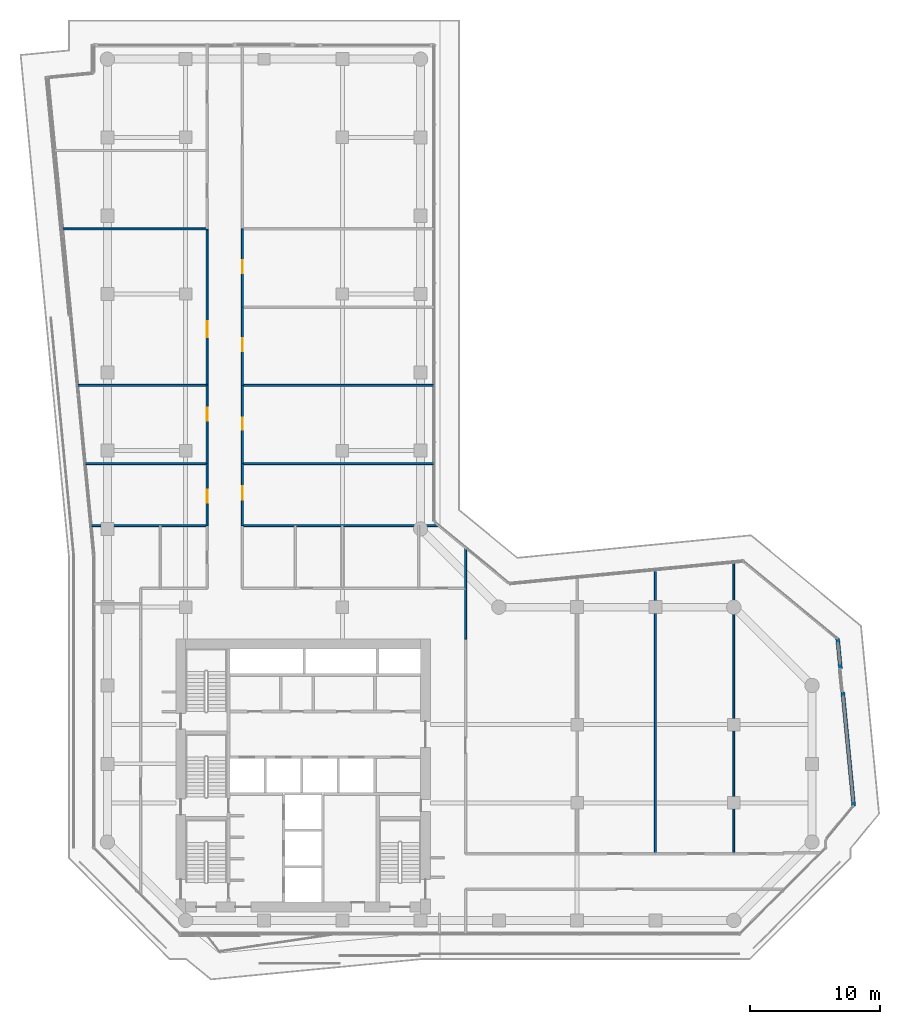
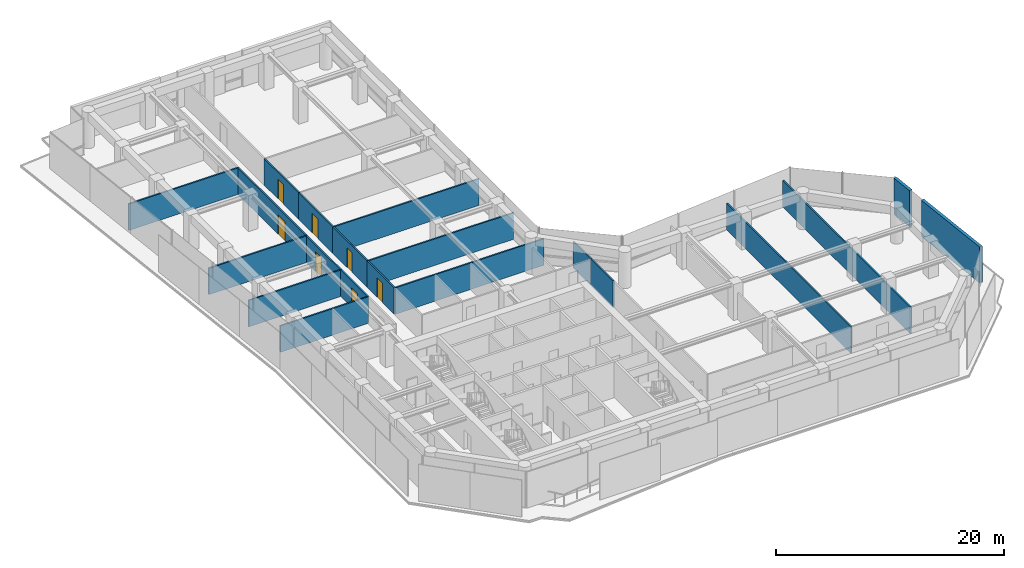
# One storey, part 25 of 28: 20 walls, 7 doors, 7 openings.
"""IFC4 building model written with IfcOpenShell, lengths in metres."""

import ifcopenshell
import ifcopenshell.guid

model = None  # the IFC model being written
_history = None  # IfcOwnerHistory: only IFC2X3 demands one
_inside = {}  # id of a spatial element -> (the spatial element, [elements in it])
_under = {}  # id of a project, library or spatial element -> (it, [spatial elements below it])
_declared = {}  # id of a project -> (the project, [libraries it declares])
_typed = {}  # id of a type object -> (the type object, [elements of that type])
_made_of = {}  # id of a material, layer set ... -> (it, [elements and type objects made of it])


def new_model(schema):
    """Start an empty IFC model of exactly this schema.

    Asked for "IFC4X3", IfcOpenShell would pick the latest addendum, in which some entities
    have other attributes; the version numbers below select the first issue.
    IFC2X3 requires an IfcOwnerHistory on every rooted entity: one is made here for all.
    """
    global model, _history
    if schema == "IFC4X3":
        model = ifcopenshell.file(schema_version=(4, 3, 0, 0))
    else:
        model = ifcopenshell.file(schema=schema)
    _inside.clear()
    _under.clear()
    _declared.clear()
    _typed.clear()
    _made_of.clear()
    _history = None
    if model.schema == "IFC2X3":
        org = make("IfcOrganization", Name="unknown")
        user = make(
            "IfcPersonAndOrganization",
            ThePerson=make("IfcPerson", FamilyName="unknown"),
            TheOrganization=org,
        )
        app = make(
            "IfcApplication",
            ApplicationDeveloper=org,
            Version="unknown",
            ApplicationFullName="unknown",
            ApplicationIdentifier="unknown",
        )
        _history = make(
            "IfcOwnerHistory",
            OwningUser=user,
            OwningApplication=app,
            ChangeAction="ADDED",
            CreationDate=0,
        )
    return model


def make(cls, **values):
    """One entity of the class cls with the attributes given. An attribute that is None is left unset."""
    return model.create_entity(
        cls, **{name: value for name, value in values.items() if value is not None}
    )


def rooted(cls, **values):
    """An entity with a GlobalId (a new one), such as an element, a storey or a relation."""
    return make(cls, GlobalId=ifcopenshell.guid.new(), OwnerHistory=_history, **values)


def si_unit(unit_type, name, prefix=None):
    """IfcSIUnit, for example si_unit("LENGTHUNIT", "METRE", prefix="MILLI")."""
    return make("IfcSIUnit", UnitType=unit_type, Prefix=prefix, Name=name)


def assignment(units):
    """IfcUnitAssignment: the units of a project."""
    return None if units is None else make("IfcUnitAssignment", Units=units)


def point(xyz):
    """IfcCartesianPoint."""
    return None if xyz is None else make("IfcCartesianPoint", Coordinates=xyz)


def direction(xyz):
    """IfcDirection."""
    return None if xyz is None else make("IfcDirection", DirectionRatios=xyz)


def frame(location, z_axis=None, x_axis=None):
    """IfcAxis2Placement3D, a coordinate frame: its origin and axes. An axis left out is left unset."""
    return make(
        "IfcAxis2Placement3D",
        Location=point(location),
        Axis=direction(z_axis),
        RefDirection=direction(x_axis),
    )


def frame_2d(location, x_axis=None):
    """IfcAxis2Placement2D, a coordinate frame in the plane: its origin and x axis."""
    return make(
        "IfcAxis2Placement2D", Location=point(location), RefDirection=direction(x_axis)
    )


def origin():
    """The frame at (0, 0, 0) with its axes left unset."""
    return frame((0.0, 0.0, 0.0))


def place(relative_to, where):
    """IfcLocalPlacement: puts the frame where relative to a parent placement (None: the world)."""
    return make(
        "IfcLocalPlacement", PlacementRelTo=relative_to, RelativePlacement=where
    )


def context(
    kind, dimensions, precision=None, world=None, true_north=None, identifier=None
):
    """IfcGeometricRepresentationContext, for example the 3D "Model" context."""
    return make(
        "IfcGeometricRepresentationContext",
        ContextIdentifier=identifier,
        ContextType=kind,
        CoordinateSpaceDimension=dimensions,
        Precision=precision,
        WorldCoordinateSystem=world,
        TrueNorth=true_north,
    )


def subcontext(parent, identifier, kind, view, scale=None):
    """IfcGeometricRepresentationSubContext, for example "Body" below "Model"."""
    return make(
        "IfcGeometricRepresentationSubContext",
        ContextIdentifier=identifier,
        ContextType=kind,
        ParentContext=parent,
        TargetScale=scale,
        TargetView=view,
    )


def project(units=None, contexts=None):
    """IfcProject with its units and contexts."""
    return rooted(
        "IfcProject",
        Name="project",
        RepresentationContexts=contexts,
        UnitsInContext=assignment(units),
    )


def spatial(cls, under=None, at=None, **own):
    """A site, building, storey or space (cls), placed at a placement, below another one or the project."""
    s = rooted(cls, ObjectPlacement=at, **own)
    if under is not None:
        _under.setdefault(under.id(), (under, []))[1].append(s)
    return s


def profile(cls, at=None, kind="AREA", **sizes):
    """A parametric profile (cls). Its sizes go by their IFC names, for example OverallWidth=200.0."""
    return make(cls, ProfileType=kind, Position=at, **sizes)


def rectangle(**sizes):
    """IfcRectangleProfileDef."""
    return profile("IfcRectangleProfileDef", **sizes)


def extrude(swept, where, along, depth):
    """IfcExtrudedAreaSolid: the profile swept, set in the frame where, extruded along a direction by depth."""
    return make(
        "IfcExtrudedAreaSolid",
        SweptArea=swept,
        Position=where,
        ExtrudedDirection=direction(along),
        Depth=depth,
    )


def shape(context_of_items, identifier, shape_type, items):
    """IfcShapeRepresentation: the items that make up one representation, for example the "Body"."""
    return make(
        "IfcShapeRepresentation",
        ContextOfItems=context_of_items,
        RepresentationIdentifier=identifier,
        RepresentationType=shape_type,
        Items=items,
    )


def material(Name=None, Category=None):
    """IfcMaterial."""
    return make("IfcMaterial", Name=Name, Category=Category)


def layer(
    of_material, thickness, ventilated=None, Name=None, Category=None, Priority=None
):
    """IfcMaterialLayer: one layer of a wall or slab, of a material (None: an air gap)."""
    return make(
        "IfcMaterialLayer",
        Material=of_material,
        LayerThickness=thickness,
        IsVentilated=ventilated,
        Name=Name,
        Category=Category,
        Priority=Priority,
    )


def layer_set(layers, Name=None):
    """IfcMaterialLayerSet."""
    return make("IfcMaterialLayerSet", MaterialLayers=layers, LayerSetName=Name)


def made_of(thing, what):
    """Note that an element or type object is made of a material, layer set ...; save() writes the relation."""
    if what is not None:
        _made_of.setdefault(what.id(), (what, []))[1].append(thing)
    return thing


def type_object(cls, material=None, **own):
    """A type object (cls), such as IfcWallType, which elements share."""
    return made_of(rooted(cls, **own), material)


def element(
    cls,
    number,
    at=None,
    inside=None,
    cuts=None,
    type_object=None,
    material=None,
    context=None,
    identifier="Body",
    shape_type=None,
    held_by="IfcProductDefinitionShape",
    body=None,
    shapes=None,
    **own,
):
    """One element of the class cls, such as IfcWall. Its Tag is "e" and its number.

    at: its placement. inside: the storey or other place that contains it. cuts: it is an
    opening in that element (IfcRelVoidsElement). A single representation is given by context,
    identifier, shape_type and body (its items); several are given by shapes. held_by: the class
    of the entity that holds the representations. save() writes the other relations.
    """
    e = rooted(cls, Tag="e%d" % number, ObjectPlacement=at, **own)
    if body is not None:
        shapes = [shape(context, identifier, shape_type, body)]
    if shapes is not None:
        e.Representation = make(held_by, Representations=shapes)
    if inside is not None:
        _inside.setdefault(inside.id(), (inside, []))[1].append(e)
    if cuts is not None:
        rooted(
            "IfcRelVoidsElement", RelatingBuildingElement=cuts, RelatedOpeningElement=e
        )
    if type_object is not None:
        _typed.setdefault(type_object.id(), (type_object, []))[1].append(e)
    return made_of(e, material)


def fill(opening, filler):
    """IfcRelFillsElement: the door or window that sits in an opening."""
    return rooted(
        "IfcRelFillsElement",
        RelatingOpeningElement=opening,
        RelatedBuildingElement=filler,
    )


def aggregate(whole, parts):
    """IfcRelAggregates: a whole, such as a stair, and the parts it consists of."""
    return rooted("IfcRelAggregates", RelatingObject=whole, RelatedObjects=parts)


def save(model, path):
    """Write the relations noted so far, then the file.

    IfcRelAggregates (storeys below a building ...), IfcRelContainedInSpatialStructure (elements
    in a storey), IfcRelDefinesByType, IfcRelAssociatesMaterial and IfcRelDeclares: one each for
    every whole, place, type object, material and project.
    """
    for whole, parts in _under.values():
        aggregate(whole, parts)
    for where, things in _inside.values():
        rooted(
            "IfcRelContainedInSpatialStructure",
            RelatedElements=things,
            RelatingStructure=where,
        )
    for kind, things in _typed.values():
        rooted("IfcRelDefinesByType", RelatedObjects=things, RelatingType=kind)
    for what, things in _made_of.values():
        rooted("IfcRelAssociatesMaterial", RelatedObjects=things, RelatingMaterial=what)
    for by, libraries in _declared.values():
        rooted("IfcRelDeclares", RelatingContext=by, RelatedDefinitions=libraries)
    model.write(path)


model = new_model("IFC4")

# Units and contexts
model_context = context("Model", 3, precision=1e-05, world=origin(), true_north=direction((0.0, 1.0)))
body_context = subcontext(model_context, "Body", "Model", "MODEL_VIEW")
ifc_project = project(units=[si_unit("LENGTHUNIT", "METRE"), si_unit("AREAUNIT", "SQUARE_METRE"), si_unit("VOLUMEUNIT", "CUBIC_METRE"), si_unit("PLANEANGLEUNIT", "RADIAN"), si_unit("MASSUNIT", "GRAM", prefix="KILO")], contexts=[model_context])

# Site, building, storey
site_placement = place(None, origin())
site = spatial("IfcSite", under=ifc_project, at=site_placement, CompositionType="ELEMENT")
building_placement = place(site_placement, origin())
building = spatial("IfcBuilding", under=site, at=building_placement, Name="Welwitschia Terrace Campus", CompositionType="ELEMENT")
storey_placement = place(building_placement, frame((0.0, 0.0, 87.800048828125)))
storey = spatial("IfcBuildingStorey", under=building, at=storey_placement, Name="L19", CompositionType="ELEMENT", Elevation=87.800048828125)

# Walls
ifc_material_1 = material(Name="Gypsum board on steel studs", Category="steel")
ifc_layer_1 = layer(ifc_material_1, 0.14990234375)
ifc_layer_set_1 = layer_set([ifc_layer_1], Name="Gypsum board on steel studs")
wall_type_1 = type_object("IfcWallType", Name="Corridor partition 150 EI 30", PredefinedType="PARTITIONING", material=ifc_layer_set_1)
wall_1_placement = place(storey_placement, frame((-3.43994140625, 57.0, 0.0), z_axis=(0.0, 0.0, 1.0), x_axis=(1.0, 0.0, 0.0)))
element("IfcWall", 1, at=wall_1_placement, inside=storey, type_object=wall_type_1, Name="Partition", PredefinedType="PARTITIONING", context=body_context, shape_type="SweptSolid", body=[
    extrude(rectangle(XDim=11.08984375, YDim=0.14990234375, at=frame_2d((5.544921875, 0.0))), origin(), (0.0, 0.0, 1.0), 2.829833984375),
])
wall_2_placement = place(storey_placement, frame((-2.280029296875, 45.0, 0.0), z_axis=(0.0, 0.0, 1.0), x_axis=(1.0, 0.0, 0.0)))
element("IfcWall", 2, at=wall_2_placement, inside=storey, type_object=wall_type_1, Name="Partition", PredefinedType="PARTITIONING", context=body_context, shape_type="SweptSolid", body=[
    extrude(rectangle(XDim=9.929931640625, YDim=0.14990234375, at=frame_2d((4.96484375, 0.0))), origin(), (0.0, 0.0, 1.0), 2.829833984375),
])
wall_3_placement = place(storey_placement, frame((-1.7099609375, 39.0, 0.0), z_axis=(0.0, 0.0, 1.0), x_axis=(1.0, 0.0, 0.0)))
element("IfcWall", 3, at=wall_3_placement, inside=storey, type_object=wall_type_1, Name="Partition", PredefinedType="PARTITIONING", context=body_context, shape_type="SweptSolid", body=[
    extrude(rectangle(XDim=9.35986328125, YDim=0.14990234375, at=frame_2d((4.679931640625, 0.0))), origin(), (0.0, 0.0, 1.0), 2.829833984375),
])
wall_4_placement = place(storey_placement, frame((-1.25, 34.25, 0.0), z_axis=(0.0, 0.0, 1.0), x_axis=(1.0, 0.0, 0.0)))
element("IfcWall", 4, at=wall_4_placement, inside=storey, type_object=wall_type_1, Name="Partition", PredefinedType="PARTITIONING", context=body_context, shape_type="SweptSolid", body=[
    extrude(rectangle(XDim=8.89990234375, YDim=0.14990234375, at=frame_2d((4.449951171875, 0.0))), origin(), (0.0, 0.0, 1.0), 2.829833984375),
])

# Wall, opening, door
wall_5_placement = place(storey_placement, frame((7.64990234375, 34.25, 0.0), z_axis=(0.0, 0.0, 1.0), x_axis=(0.0, 1.0, 0.0)))
wall_5 = element("IfcWall", 5, at=wall_5_placement, inside=storey, type_object=wall_type_1, Name="Partition", PredefinedType="PARTITIONING", context=body_context, shape_type="SweptSolid", body=[
    extrude(rectangle(XDim=4.75, YDim=0.14990234375, at=frame_2d((2.375, 0.0))), origin(), (0.0, 0.0, 1.0), 2.829833984375),
])
opening_1_placement = place(wall_5_placement, frame((1.75, 0.0, 0.0)))
opening_1 = element("IfcOpeningElement", 6, at=opening_1_placement, cuts=wall_5, Name="Opening DI10", PredefinedType="OPENING", context=body_context, shape_type="SweptSolid", body=[
    extrude(rectangle(XDim=1.0, YDim=2.10009765625, at=frame_2d((0.5, 1.050048828125))), frame((0.0, 0.0849609375, 0.0), z_axis=(0.0, -1.0, 0.0), x_axis=(1.0, 0.0, 0.0)), (0.0, 0.0, 1.0), 0.169921875),
])
ifc_material_2 = material(Name="Timber veneered door", Category="wood")
door_type_1 = type_object("IfcDoorType", Name="Interior door DI10", OperationType="NOTDEFINED", PredefinedType="DOOR", material=ifc_material_2)
door_1_placement = place(opening_1_placement, origin())
door_1 = element("IfcDoor", 7, at=door_1_placement, inside=storey, type_object=door_type_1, Name="Door L19 422", OperationType="SINGLE_SWING_LEFT", OverallHeight=2.10009765625, OverallWidth=1.0, PredefinedType="DOOR", context=body_context, shape_type="SweptSolid", body=[
    extrude(rectangle(XDim=1.0, YDim=2.10009765625, at=frame_2d((0.5, 1.050048828125))), frame((0.0, 0.02490234375, 0.0), z_axis=(0.0, -1.0, 0.0), x_axis=(1.0, 0.0, 0.0)), (0.0, 0.0, 1.0), 0.050048828125),
])
fill(opening_1, door_1)

wall_6_placement = place(storey_placement, frame((7.64990234375, 39.0, 0.0), z_axis=(0.0, 0.0, 1.0), x_axis=(0.0, 1.0, 0.0)))
wall_6 = element("IfcWall", 8, at=wall_6_placement, inside=storey, type_object=wall_type_1, Name="Partition", PredefinedType="PARTITIONING", context=body_context, shape_type="SweptSolid", body=[
    extrude(rectangle(XDim=6.0, YDim=0.14990234375, at=frame_2d((3.0, 0.0))), origin(), (0.0, 0.0, 1.0), 2.829833984375),
])
opening_2_placement = place(wall_6_placement, frame((3.300048828125, 0.0, 0.0)))
opening_2 = element("IfcOpeningElement", 9, at=opening_2_placement, cuts=wall_6, Name="Opening DI10", PredefinedType="OPENING", context=body_context, shape_type="SweptSolid", body=[
    extrude(rectangle(XDim=1.0, YDim=2.10009765625, at=frame_2d((0.5, 1.050048828125))), frame((0.0, 0.0849609375, 0.0), z_axis=(0.0, -1.0, 0.0), x_axis=(1.0, 0.0, 0.0)), (0.0, 0.0, 1.0), 0.169921875),
])
door_2_placement = place(opening_2_placement, origin())
door_2 = element("IfcDoor", 10, at=door_2_placement, inside=storey, type_object=door_type_1, Name="Door L19 423", OperationType="SINGLE_SWING_RIGHT", OverallHeight=2.10009765625, OverallWidth=1.0, PredefinedType="DOOR", context=body_context, shape_type="SweptSolid", body=[
    extrude(rectangle(XDim=1.0, YDim=2.10009765625, at=frame_2d((0.5, 1.050048828125))), frame((0.0, 0.02490234375, 0.0), z_axis=(0.0, -1.0, 0.0), x_axis=(1.0, 0.0, 0.0)), (0.0, 0.0, 1.0), 0.050048828125),
])
fill(opening_2, door_2)

wall_7_placement = place(storey_placement, frame((7.64990234375, 45.0, 0.0), z_axis=(0.0, 0.0, 1.0), x_axis=(0.0, 1.0, 0.0)))
wall_7 = element("IfcWall", 11, at=wall_7_placement, inside=storey, type_object=wall_type_1, Name="Partition", PredefinedType="PARTITIONING", context=body_context, shape_type="SweptSolid", body=[
    extrude(rectangle(XDim=12.0, YDim=0.14990234375, at=frame_2d((6.0, 0.0))), origin(), (0.0, 0.0, 1.0), 2.829833984375),
])
opening_3_placement = place(wall_7_placement, frame((3.699951171875, 0.0, 0.0)))
opening_3 = element("IfcOpeningElement", 12, at=opening_3_placement, cuts=wall_7, Name="Opening DI12", PredefinedType="OPENING", context=body_context, shape_type="SweptSolid", body=[
    extrude(rectangle(XDim=1.199951171875, YDim=2.10009765625, at=frame_2d((0.60009765625, 1.050048828125))), frame((0.0, 0.0849609375, 0.0), z_axis=(0.0, -1.0, 0.0), x_axis=(1.0, 0.0, 0.0)), (0.0, 0.0, 1.0), 0.169921875),
])
ifc_material_3 = material(Name="Timber veneered door", Category="wood")
door_type_2 = type_object("IfcDoorType", Name="Interior door DI12", OperationType="NOTDEFINED", PredefinedType="DOOR", material=ifc_material_3)
door_3_placement = place(opening_3_placement, origin())
door_3 = element("IfcDoor", 13, at=door_3_placement, inside=storey, type_object=door_type_2, Name="Door L19 424", OperationType="SINGLE_SWING_LEFT", OverallHeight=2.10009765625, OverallWidth=1.199951171875, PredefinedType="DOOR", context=body_context, shape_type="SweptSolid", body=[
    extrude(rectangle(XDim=1.199951171875, YDim=2.10009765625, at=frame_2d((0.60009765625, 1.050048828125))), frame((0.0, 0.02490234375, 0.0), z_axis=(0.0, -1.0, 0.0), x_axis=(1.0, 0.0, 0.0)), (0.0, 0.0, 1.0), 0.050048828125),
])
fill(opening_3, door_3)

# Wall
wall_8_placement = place(storey_placement, frame((10.35009765625, 34.25, 0.0), z_axis=(0.0, 0.0, 1.0), x_axis=(1.0, 0.0, 0.0)))
element("IfcWall", 14, at=wall_8_placement, inside=storey, type_object=wall_type_1, Name="Partition", PredefinedType="PARTITIONING", context=body_context, shape_type="SweptSolid", body=[
    extrude(rectangle(XDim=15.039794921875, YDim=0.14990234375, at=frame_2d((7.52001953125, 0.0))), origin(), (0.0, 0.0, 1.0), 2.829833984375),
])

# Wall, opening, door
wall_9_placement = place(storey_placement, frame((10.35009765625, 39.0, 0.0), z_axis=(0.0, 0.0, 1.0), x_axis=(0.0, -1.0, 0.0)))
wall_9 = element("IfcWall", 15, at=wall_9_placement, inside=storey, type_object=wall_type_1, Name="Partition", PredefinedType="PARTITIONING", context=body_context, shape_type="SweptSolid", body=[
    extrude(rectangle(XDim=4.75, YDim=0.14990234375, at=frame_2d((2.375, 0.0))), origin(), (0.0, 0.0, 1.0), 2.829833984375),
])
opening_4_placement = place(wall_9_placement, frame((1.75, 0.0, 0.0)))
opening_4 = element("IfcOpeningElement", 16, at=opening_4_placement, cuts=wall_9, Name="Opening DI10", PredefinedType="OPENING", context=body_context, shape_type="SweptSolid", body=[
    extrude(rectangle(XDim=1.0, YDim=2.10009765625, at=frame_2d((0.5, 1.050048828125))), frame((0.0, 0.0849609375, 0.0), z_axis=(0.0, -1.0, 0.0), x_axis=(1.0, 0.0, 0.0)), (0.0, 0.0, 1.0), 0.169921875),
])
door_4_placement = place(opening_4_placement, origin())
door_4 = element("IfcDoor", 17, at=door_4_placement, inside=storey, type_object=door_type_1, Name="Door L19 427", OperationType="SINGLE_SWING_RIGHT", OverallHeight=2.10009765625, OverallWidth=1.0, PredefinedType="DOOR", context=body_context, shape_type="SweptSolid", body=[
    extrude(rectangle(XDim=1.0, YDim=2.10009765625, at=frame_2d((0.5, 1.050048828125))), frame((0.0, 0.02490234375, 0.0), z_axis=(0.0, -1.0, 0.0), x_axis=(1.0, 0.0, 0.0)), (0.0, 0.0, 1.0), 0.050048828125),
])
fill(opening_4, door_4)

# Wall
wall_10_placement = place(storey_placement, frame((10.35009765625, 39.0, 0.0), z_axis=(0.0, 0.0, 1.0), x_axis=(1.0, 0.0, 0.0)))
element("IfcWall", 18, at=wall_10_placement, inside=storey, type_object=wall_type_1, Name="Partition", PredefinedType="PARTITIONING", context=body_context, shape_type="SweptSolid", body=[
    extrude(rectangle(XDim=14.68994140625, YDim=0.14990234375, at=frame_2d((7.344970703125, 0.0))), origin(), (0.0, 0.0, 1.0), 2.829833984375),
])

# Wall, opening, door
wall_11_placement = place(storey_placement, frame((10.35009765625, 45.0, 0.0), z_axis=(0.0, 0.0, 1.0), x_axis=(0.0, -1.0, 0.0)))
wall_11 = element("IfcWall", 19, at=wall_11_placement, inside=storey, type_object=wall_type_1, Name="Partition", PredefinedType="PARTITIONING", context=body_context, shape_type="SweptSolid", body=[
    extrude(rectangle(XDim=6.0, YDim=0.14990234375, at=frame_2d((3.0, 0.0))), origin(), (0.0, 0.0, 1.0), 2.829833984375),
])
opening_5_placement = place(wall_11_placement, frame((2.5, 0.0, 0.0)))
opening_5 = element("IfcOpeningElement", 20, at=opening_5_placement, cuts=wall_11, Name="Opening DI09", PredefinedType="OPENING", context=body_context, shape_type="SweptSolid", body=[
    extrude(rectangle(XDim=0.89990234375, YDim=2.10009765625, at=frame_2d((0.449951171875, 1.050048828125))), frame((0.0, 0.0849609375, 0.0), z_axis=(0.0, -1.0, 0.0), x_axis=(1.0, 0.0, 0.0)), (0.0, 0.0, 1.0), 0.169921875),
])
ifc_material_4 = material(Name="Timber veneered door", Category="wood")
door_type_3 = type_object("IfcDoorType", Name="Interior door DI09", OperationType="NOTDEFINED", PredefinedType="DOOR", material=ifc_material_4)
door_5_placement = place(opening_5_placement, origin())
door_5 = element("IfcDoor", 21, at=door_5_placement, inside=storey, type_object=door_type_3, Name="Door L19 428", OperationType="SINGLE_SWING_LEFT", OverallHeight=2.10009765625, OverallWidth=0.89990234375, PredefinedType="DOOR", context=body_context, shape_type="SweptSolid", body=[
    extrude(rectangle(XDim=0.89990234375, YDim=2.10009765625, at=frame_2d((0.449951171875, 1.050048828125))), frame((0.0, 0.02490234375, 0.0), z_axis=(0.0, -1.0, 0.0), x_axis=(1.0, 0.0, 0.0)), (0.0, 0.0, 1.0), 0.050048828125),
])
fill(opening_5, door_5)

# Wall
wall_12_placement = place(storey_placement, frame((10.35009765625, 45.0, 0.0), z_axis=(0.0, 0.0, 1.0), x_axis=(1.0, 0.0, 0.0)))
element("IfcWall", 22, at=wall_12_placement, inside=storey, type_object=wall_type_1, Name="Partition", PredefinedType="PARTITIONING", context=body_context, shape_type="SweptSolid", body=[
    extrude(rectangle(XDim=14.68994140625, YDim=0.14990234375, at=frame_2d((7.344970703125, 0.0))), origin(), (0.0, 0.0, 1.0), 2.829833984375),
])

# Wall, opening, door
wall_13_placement = place(storey_placement, frame((10.35009765625, 51.0, 0.0), z_axis=(0.0, 0.0, 1.0), x_axis=(0.0, -1.0, 0.0)))
wall_13 = element("IfcWall", 23, at=wall_13_placement, inside=storey, type_object=wall_type_1, Name="Partition", PredefinedType="PARTITIONING", context=body_context, shape_type="SweptSolid", body=[
    extrude(rectangle(XDim=6.0, YDim=0.14990234375, at=frame_2d((3.0, 0.0))), origin(), (0.0, 0.0, 1.0), 2.829833984375),
])
opening_6_placement = place(wall_13_placement, frame((2.39990234375, 0.0, 0.0)))
opening_6 = element("IfcOpeningElement", 24, at=opening_6_placement, cuts=wall_13, Name="Opening DI10", PredefinedType="OPENING", context=body_context, shape_type="SweptSolid", body=[
    extrude(rectangle(XDim=1.0, YDim=2.10009765625, at=frame_2d((0.5, 1.050048828125))), frame((0.0, 0.0849609375, 0.0), z_axis=(0.0, -1.0, 0.0), x_axis=(1.0, 0.0, 0.0)), (0.0, 0.0, 1.0), 0.169921875),
])
door_6_placement = place(opening_6_placement, origin())
door_6 = element("IfcDoor", 25, at=door_6_placement, inside=storey, type_object=door_type_1, Name="Door L19 429", OperationType="SINGLE_SWING_RIGHT", OverallHeight=2.10009765625, OverallWidth=1.0, PredefinedType="DOOR", context=body_context, shape_type="SweptSolid", body=[
    extrude(rectangle(XDim=1.0, YDim=2.10009765625, at=frame_2d((0.5, 1.050048828125))), frame((0.0, 0.02490234375, 0.0), z_axis=(0.0, -1.0, 0.0), x_axis=(1.0, 0.0, 0.0)), (0.0, 0.0, 1.0), 0.050048828125),
])
fill(opening_6, door_6)

wall_14_placement = place(storey_placement, frame((10.35009765625, 57.0, 0.0), z_axis=(0.0, 0.0, 1.0), x_axis=(0.0, -1.0, 0.0)))
wall_14 = element("IfcWall", 26, at=wall_14_placement, inside=storey, type_object=wall_type_1, Name="Partition", PredefinedType="PARTITIONING", context=body_context, shape_type="SweptSolid", body=[
    extrude(rectangle(XDim=6.0, YDim=0.14990234375, at=frame_2d((3.0, 0.0))), origin(), (0.0, 0.0, 1.0), 2.829833984375),
])
opening_7_placement = place(wall_14_placement, frame((2.39990234375, 0.0, 0.0)))
opening_7 = element("IfcOpeningElement", 27, at=opening_7_placement, cuts=wall_14, Name="Opening DI10", PredefinedType="OPENING", context=body_context, shape_type="SweptSolid", body=[
    extrude(rectangle(XDim=1.0, YDim=2.10009765625, at=frame_2d((0.5, 1.050048828125))), frame((0.0, 0.0849609375, 0.0), z_axis=(0.0, -1.0, 0.0), x_axis=(1.0, 0.0, 0.0)), (0.0, 0.0, 1.0), 0.169921875),
])
door_7_placement = place(opening_7_placement, origin())
door_7 = element("IfcDoor", 28, at=door_7_placement, inside=storey, type_object=door_type_1, Name="Door L19 430", OperationType="SINGLE_SWING_LEFT", OverallHeight=2.10009765625, OverallWidth=1.0, PredefinedType="DOOR", context=body_context, shape_type="SweptSolid", body=[
    extrude(rectangle(XDim=1.0, YDim=2.10009765625, at=frame_2d((0.5, 1.050048828125))), frame((0.0, 0.02490234375, 0.0), z_axis=(0.0, -1.0, 0.0), x_axis=(1.0, 0.0, 0.0)), (0.0, 0.0, 1.0), 0.050048828125),
])
fill(opening_7, door_7)

# Walls
wall_15_placement = place(storey_placement, frame((27.449951171875, 25.550048828125, 0.0), z_axis=(0.0, 0.0, 1.0), x_axis=(0.0, 1.0, 0.0)))
element("IfcWall", 29, at=wall_15_placement, inside=storey, type_object=wall_type_1, Name="Partition", PredefinedType="PARTITIONING", context=body_context, shape_type="SweptSolid", body=[
    extrude(rectangle(XDim=3.89990234375, YDim=0.14990234375, at=frame_2d((1.949951171875, 0.0))), origin(), (0.0, 0.0, 1.0), 2.829833984375),
])
wall_16_placement = place(storey_placement, frame((27.449951171875, 29.449951171875, 0.0), z_axis=(0.0, 0.0, 1.0), x_axis=(0.0, 1.0, 0.0)))
element("IfcWall", 30, at=wall_16_placement, inside=storey, type_object=wall_type_1, Name="Partition", PredefinedType="PARTITIONING", context=body_context, shape_type="SweptSolid", body=[
    extrude(rectangle(XDim=3.10009765625, YDim=0.14990234375, at=frame_2d((1.550048828125, 0.0))), origin(), (0.0, 0.0, 1.0), 2.829833984375),
])
wall_17_placement = place(storey_placement, frame((42.0, 9.10009765625, 0.0), z_axis=(0.0, 0.0, 1.0), x_axis=(0.0, 1.0, 0.0)))
element("IfcWall", 31, at=wall_17_placement, inside=storey, type_object=wall_type_1, Name="Partition", PredefinedType="PARTITIONING", context=body_context, shape_type="SweptSolid", body=[
    extrude(rectangle(XDim=21.77978515625, YDim=0.14990234375, at=frame_2d((10.889892578125, 0.0))), origin(), (0.0, 0.0, 1.0), 2.829833984375),
])
wall_18_placement = place(storey_placement, frame((48.0, 9.10009765625, 0.0), z_axis=(0.0, 0.0, 1.0), x_axis=(0.0, 1.0, 0.0)))
element("IfcWall", 32, at=wall_18_placement, inside=storey, type_object=wall_type_1, Name="Partition", PredefinedType="PARTITIONING", context=body_context, shape_type="SweptSolid", body=[
    extrude(rectangle(XDim=22.349853515625, YDim=0.14990234375, at=frame_2d((11.1748046875, 0.0))), origin(), (0.0, 0.0, 1.0), 2.829833984375),
])
ifc_material_5 = material(Name="Concrete C40/50", Category="concrete")
ifc_layer_2 = layer(ifc_material_5, 0.300048828125)
ifc_layer_set_2 = layer_set([ifc_layer_2], Name="Concrete C40/50")
wall_type_2 = type_object("IfcWallType", Name="Mass wall 300", PredefinedType="SOLIDWALL", material=ifc_layer_set_2)
wall_19_placement = place(storey_placement, frame((57.193603515625, 12.764404296875, 0.0), z_axis=(0.0, 0.0, 1.0), x_axis=(-0.095852900965, 0.995395510024, 0.0)))
element("IfcWall", 33, at=wall_19_placement, inside=storey, type_object=wall_type_2, Name="Mass wall L19.7.0", PredefinedType="SOLIDWALL", context=body_context, shape_type="SweptSolid", body=[
    extrude(rectangle(XDim=8.7744140625, YDim=0.300048828125, at=frame_2d((4.38720703125, 0.0))), origin(), (0.0, 0.0, 1.0), 3.849853515625),
])
wall_20_placement = place(storey_placement, frame((56.179931640625, 23.290283203125, 0.0), z_axis=(0.0, 0.0, 1.0), x_axis=(-0.095770434057, 0.995403447834, 0.0)))
element("IfcWall", 34, at=wall_20_placement, inside=storey, type_object=wall_type_2, Name="Mass wall L19.7.1", PredefinedType="SOLIDWALL", context=body_context, shape_type="SweptSolid", body=[
    extrude(rectangle(XDim=2.324951171875, YDim=0.300048828125, at=frame_2d((1.16259765625, 0.0))), origin(), (0.0, 0.0, 1.0), 3.849853515625),
])

save(model, "model.ifc")
